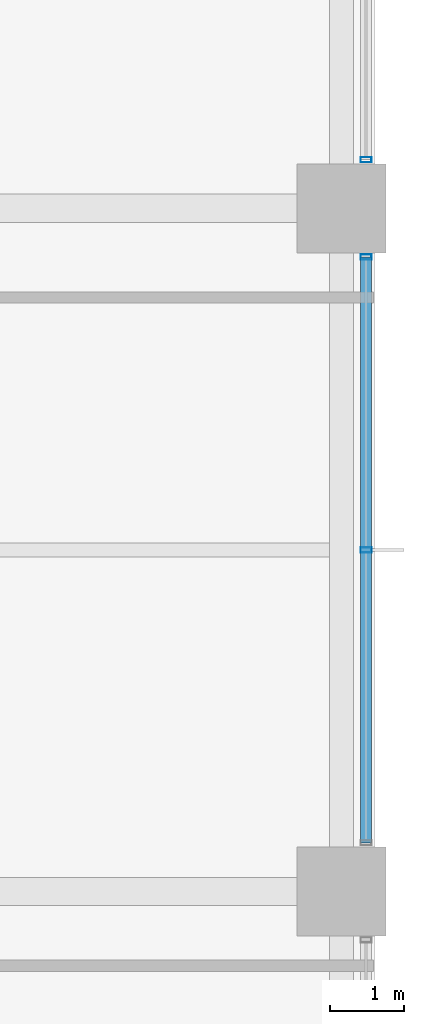
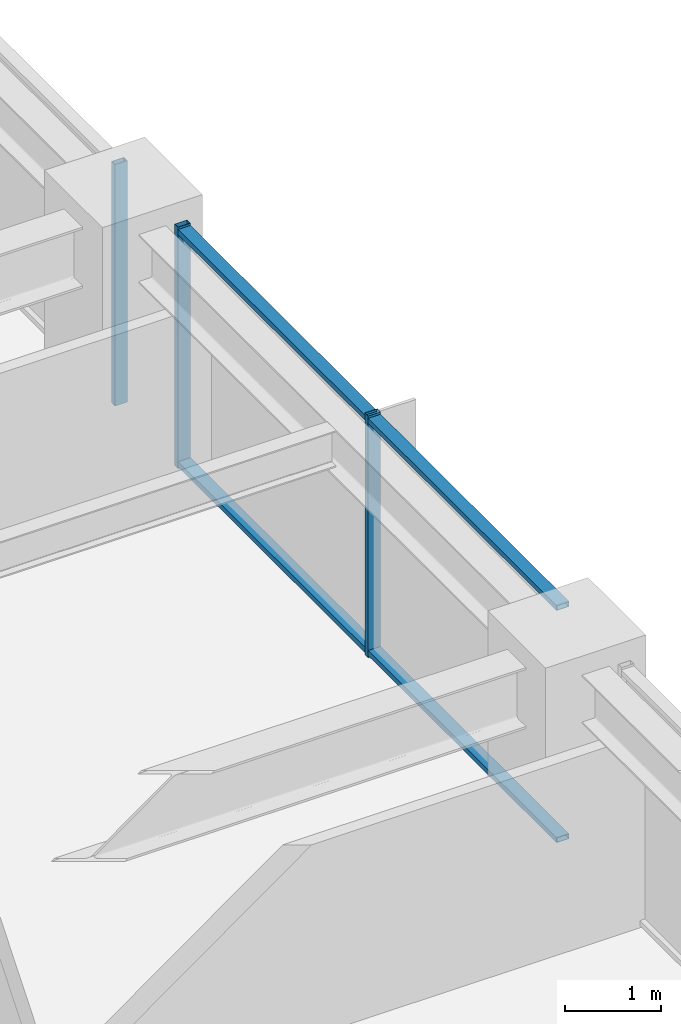
# One storey, part 16 of 38: 5 members, 2 elements without a shape of their own.
"""IFC4 building model written with IfcOpenShell, lengths in metres."""

from ifc_helpers import new_model, si_unit, direction, frame, origin, origin_2d, place, context, subcontext, project, spatial, hollow_rectangle, extrude, material, material_profile, profile_set, type_object, element, aggregate, save


model = new_model("IFC4")

# Units and contexts
model_context = context("Model", 3, precision=1e-05, world=origin(), true_north=direction((0.0, 1.0)))
body_context = subcontext(model_context, "Body", "Model", "MODEL_VIEW")
ifc_project = project(units=[si_unit("LENGTHUNIT", "METRE"), si_unit("AREAUNIT", "SQUARE_METRE"), si_unit("VOLUMEUNIT", "CUBIC_METRE"), si_unit("PLANEANGLEUNIT", "RADIAN"), si_unit("MASSUNIT", "GRAM", prefix="KILO")], contexts=[model_context])

# Site, building, storey
site_placement = place(None, origin())
site = spatial("IfcSite", under=ifc_project, at=site_placement, CompositionType="ELEMENT")
building_placement = place(site_placement, origin())
building = spatial("IfcBuilding", under=site, at=building_placement, Name="Kolvaren Belvedere", CompositionType="ELEMENT")
storey_placement = place(building_placement, frame((0.0, 0.0, 27.10009765625)))
storey = spatial("IfcBuildingStorey", under=building, at=storey_placement, Name="L07", CompositionType="ELEMENT", Elevation=27.10009765625)

# Curtain wall, member
ifc_material_1 = material(Name="Anodised pale-metal aluminium AA 6063-T6", Category="aluminium")
curtain_wall_type = type_object("IfcCurtainWallType", Name="CW-Z1-LOW", PredefinedType="NOTDEFINED", material=ifc_material_1)
curtain_wall_1_placement = place(storey_placement, origin())
curtain_wall_1 = element("IfcCurtainWall", 1, at=curtain_wall_1_placement, inside=storey, type_object=curtain_wall_type, Name="L07 Unitised Curtain Wall FCW-L07-E-B1", PredefinedType="NOTDEFINED")
ifc_material_2 = material(Name="Anodised pale-metal aluminium AA 6063-T6", Category="aluminium")
ifc_material_profile_1 = material_profile(ifc_material_2, hollow_rectangle(XDim=0.070068359375, YDim=0.14990234375, WallThickness=0.004150390625, at=origin_2d()), Name="ALU-MUL-150X70")
ifc_profile_set_1 = profile_set([ifc_material_profile_1], Name="Anodised pale-metal aluminium AA 6063-T6")
member_type_1 = type_object("IfcMemberType", Name="CW-MUL-150", PredefinedType="MULLION", material=ifc_profile_set_1)
member_1_placement = place(storey_placement, frame((21.8798828125, 5.2548828125, 0.0), z_axis=(0.0, 0.0, 1.0), x_axis=(0.0, 1.0, 0.0)))
member_1 = element("IfcMember", 2, at=member_1_placement, type_object=member_type_1, Name="FCW-L07-E-B1 Unitised Mullion 3", PredefinedType="MULLION", context=body_context, shape_type="SweptSolid", body=[
    extrude(hollow_rectangle(XDim=0.070068359375, YDim=0.14990234375, WallThickness=0.004150390625, at=origin_2d()), origin(), (0.0, 0.0, 1.0), 3.059814453125),
])
aggregate(curtain_wall_1, [member_1])

# Curtain wall, members
curtain_wall_2_placement = place(storey_placement, origin())
curtain_wall_2 = element("IfcCurtainWall", 3, at=curtain_wall_2_placement, inside=storey, type_object=curtain_wall_type, Name="L07 Unitised Curtain Wall FCW-L07-E-B2", PredefinedType="NOTDEFINED")
member_2_placement = place(storey_placement, frame((21.8798828125, 3.945068359375, 0.0), z_axis=(0.0, 0.0, 1.0), x_axis=(0.0, 1.0, 0.0)))
member_2 = element("IfcMember", 4, at=member_2_placement, type_object=member_type_1, Name="FCW-L07-E-B2 Unitised Mullion 1", PredefinedType="MULLION", context=body_context, shape_type="SweptSolid", body=[
    extrude(hollow_rectangle(XDim=0.070068359375, YDim=0.14990234375, WallThickness=0.004150390625, at=origin_2d()), origin(), (0.0, 0.0, 1.0), 3.059814453125),
])
member_3_placement = place(storey_placement, frame((21.8798828125, 0.0, 0.0), z_axis=(0.0, 0.0, 1.0), x_axis=(0.0, 1.0, 0.0)))
member_3 = element("IfcMember", 5, at=member_3_placement, type_object=member_type_1, Name="FCW-L07-E-B2 Unitised Mullion 2", PredefinedType="MULLION", context=body_context, shape_type="SweptSolid", body=[
    extrude(hollow_rectangle(XDim=0.070068359375, YDim=0.14990234375, WallThickness=0.004150390625, at=origin_2d()), origin(), (0.0, 0.0, 1.0), 3.059814453125),
])
ifc_material_3 = material(Name="Anodised pale-metal aluminium AA 6063-T6", Category="aluminium")
ifc_material_profile_2 = material_profile(ifc_material_3, hollow_rectangle(XDim=0.06494140625, YDim=0.14990234375, WallThickness=0.00390625, at=origin_2d()), Name="ALU-TRN-150X65")
ifc_profile_set_2 = profile_set([ifc_material_profile_2], Name="Anodised pale-metal aluminium AA 6063-T6")
member_type_2 = type_object("IfcMemberType", Name="CW-TRN-150", PredefinedType="USERDEFINED", material=ifc_profile_set_2)
member_4_placement = place(storey_placement, frame((21.8798828125, 3.945068359375, 0.059814453125), z_axis=(0.0, -1.0, 0.0), x_axis=(0.0, 0.0, 1.0)))
member_4 = element("IfcMember", 6, at=member_4_placement, type_object=member_type_2, Name="FCW-L07-E-B2 Sill Transom", ObjectType="TRANSOM", PredefinedType="USERDEFINED", context=body_context, shape_type="SweptSolid", body=[
    extrude(hollow_rectangle(XDim=0.06494140625, YDim=0.14990234375, WallThickness=0.00390625, at=origin_2d()), origin(), (0.0, 0.0, 1.0), 7.89013671875),
])
member_5_placement = place(storey_placement, frame((21.8798828125, 3.945068359375, 3.0), z_axis=(0.0, -1.0, 0.0), x_axis=(0.0, 0.0, 1.0)))
member_5 = element("IfcMember", 7, at=member_5_placement, type_object=member_type_2, Name="FCW-L07-E-B2 Head Transom", ObjectType="TRANSOM", PredefinedType="USERDEFINED", context=body_context, shape_type="SweptSolid", body=[
    extrude(hollow_rectangle(XDim=0.06494140625, YDim=0.14990234375, WallThickness=0.00390625, at=origin_2d()), origin(), (0.0, 0.0, 1.0), 7.89013671875),
])
aggregate(curtain_wall_2, [member_2, member_3, member_4, member_5])

save(model, "model.ifc")
